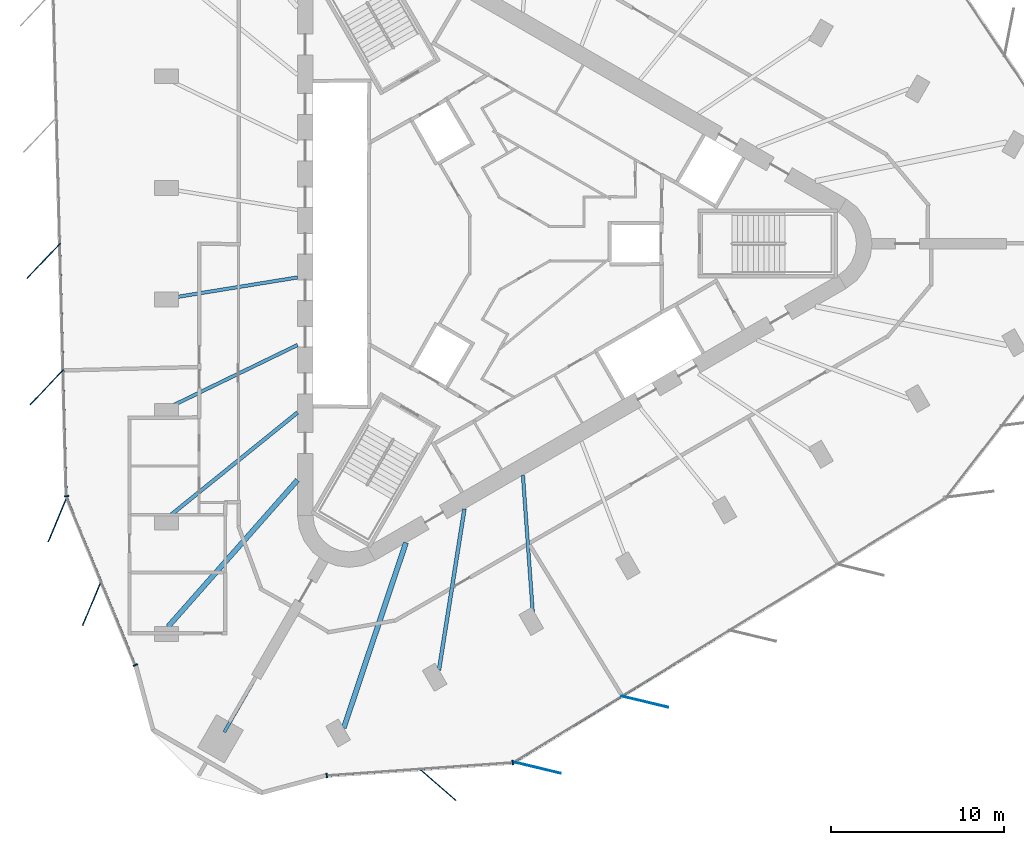
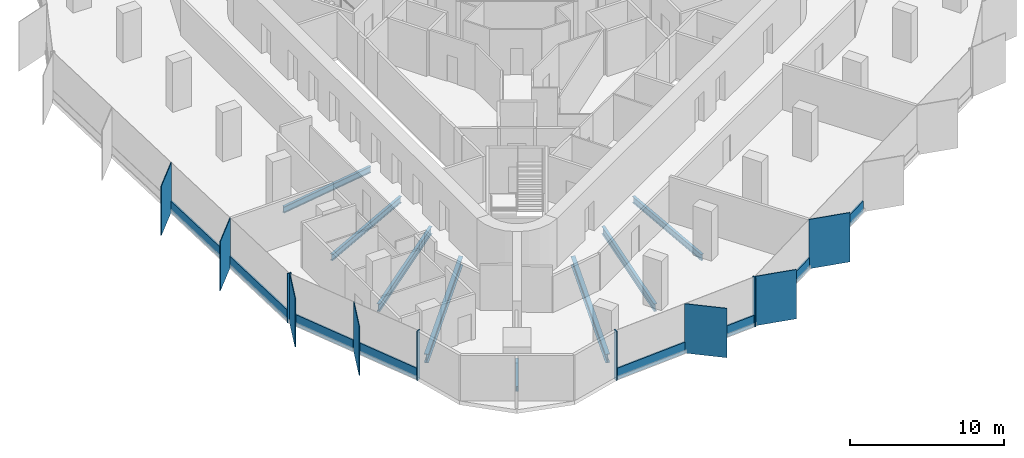
# One storey, part 2 of 12: 19 members, 8 beams, 4 elements without a shape of their own.
"""IFC4 building model written with IfcOpenShell, lengths in metres."""

from ifc_helpers import new_model, si_unit, direction, frame, origin, origin_2d, place, context, subcontext, project, spatial, rectangle, i_section, extrude, material, material_profile, profile_set, type_object, element, aggregate, save


model = new_model("IFC4")

# Units and contexts
model_context = context("Model", 3, precision=1e-05, world=origin(), true_north=direction((0.0, 1.0)))
body_context = subcontext(model_context, "Body", "Model", "MODEL_VIEW")
ifc_project = project(units=[si_unit("LENGTHUNIT", "METRE"), si_unit("AREAUNIT", "SQUARE_METRE"), si_unit("VOLUMEUNIT", "CUBIC_METRE"), si_unit("PLANEANGLEUNIT", "RADIAN"), si_unit("MASSUNIT", "GRAM", prefix="KILO")], contexts=[model_context])

# Site, building, storey
site_placement = place(None, origin())
site = spatial("IfcSite", under=ifc_project, at=site_placement, CompositionType="ELEMENT")
building_placement = place(site_placement, origin())
building = spatial("IfcBuilding", under=site, at=building_placement, Name="Tanit Gate Tower", CompositionType="ELEMENT")
storey_placement = place(building_placement, frame((0.0, 0.0, 345.5)))
storey = spatial("IfcBuildingStorey", under=building, at=storey_placement, Name="L78", CompositionType="ELEMENT", Elevation=345.5)

# Curtain wall, members
ifc_material_1 = material(Name="Aluminium bronze anodised and glass", Category="aluminium")
curtain_wall_type = type_object("IfcCurtainWallType", Name="Curtain wall typical high", PredefinedType="NOTDEFINED", material=ifc_material_1)
curtain_wall_1_placement = place(storey_placement, origin())
curtain_wall_1 = element("IfcCurtainWall", 1, at=curtain_wall_1_placement, inside=storey, type_object=curtain_wall_type, Name="Curtain wall L78 W2", PredefinedType="NOTDEFINED")
ifc_material_2 = material(Name="Aluminium bronze anodised", Category="aluminium")
ifc_material_profile_1 = material_profile(ifc_material_2, rectangle(XDim=2.800048828125, YDim=0.055908203125, at=origin_2d()), Name="56x2800 bronze fin mullion")
ifc_profile_set_1 = profile_set([ifc_material_profile_1], Name="Aluminium bronze anodised")
member_type_1 = type_object("IfcMemberType", Name="FIN MULLION 56x2800 bronze", PredefinedType="MULLION", material=ifc_profile_set_1)
member_1_placement = place(storey_placement, frame((-26.822021484375, -1.00146484375, -0.300048828125), z_axis=(0.0, 0.0, 1.0), x_axis=(0.688538110764, 0.725200158595, 0.0)))
member_1 = element("IfcMember", 2, at=member_1_placement, type_object=member_type_1, Name="Fin mullion L78 W2.3", PredefinedType="MULLION", context=body_context, shape_type="SweptSolid", body=[
    extrude(rectangle(XDim=2.800048828125, YDim=0.055908203125, at=origin_2d()), origin(), (0.0, 0.0, 1.0), 3.900146484375),
])
member_2_placement = place(storey_placement, frame((-26.63232421875, -8.31982421875, -0.300048828125), z_axis=(0.0, 0.0, 1.0), x_axis=(0.688538110764, 0.725200158595, 0.0)))
member_2 = element("IfcMember", 3, at=member_2_placement, type_object=member_type_1, Name="Fin mullion L78 W2.4", PredefinedType="MULLION", context=body_context, shape_type="SweptSolid", body=[
    extrude(rectangle(XDim=2.800048828125, YDim=0.055908203125, at=origin_2d()), origin(), (0.0, 0.0, 1.0), 3.900146484375),
])

curtain_wall_2_placement = place(storey_placement, origin())
curtain_wall_2 = element("IfcCurtainWall", 4, at=curtain_wall_2_placement, inside=storey, type_object=curtain_wall_type, Name="Curtain wall L78 W3", PredefinedType="NOTDEFINED")
member_3_placement = place(storey_placement, frame((-26.0087890625, -15.987548828125, -0.300048828125), z_axis=(0.0, 0.0, 1.0), x_axis=(0.386006838338, 0.9224959191, 0.0)))
member_3 = element("IfcMember", 5, at=member_3_placement, type_object=member_type_1, Name="Fin mullion L78 W3.1", PredefinedType="MULLION", context=body_context, shape_type="SweptSolid", body=[
    extrude(rectangle(XDim=2.800048828125, YDim=0.055908203125, at=origin_2d()), origin(), (0.0, 0.0, 1.0), 3.900146484375),
])
member_4_placement = place(storey_placement, frame((-24.017333984375, -20.844970703125, -0.300048828125), z_axis=(0.0, 0.0, 1.0), x_axis=(0.386006838338, 0.9224959191, 0.0)))
member_4 = element("IfcMember", 6, at=member_4_placement, type_object=member_type_1, Name="Fin mullion L78 W3.2", PredefinedType="MULLION", context=body_context, shape_type="SweptSolid", body=[
    extrude(rectangle(XDim=2.800048828125, YDim=0.055908203125, at=origin_2d()), origin(), (0.0, 0.0, 1.0), 3.900146484375),
])

# Curtain wall, member
curtain_wall_3_placement = place(storey_placement, origin())
curtain_wall_3 = element("IfcCurtainWall", 7, at=curtain_wall_3_placement, inside=storey, type_object=curtain_wall_type, Name="Curtain wall L78 SE1", PredefinedType="NOTDEFINED")
member_5_placement = place(storey_placement, frame((-3.97314453125, -31.3583984375, -0.300048828125), z_axis=(0.0, 0.0, 1.0), x_axis=(-0.754673667978, 0.656100339019, 0.0)))
member_5 = element("IfcMember", 8, at=member_5_placement, type_object=member_type_1, Name="Fin mullion L78 SE1.2", PredefinedType="MULLION", context=body_context, shape_type="SweptSolid", body=[
    extrude(rectangle(XDim=2.800048828125, YDim=0.055908203125, at=origin_2d()), origin(), (0.0, 0.0, 1.0), 3.900146484375),
])

# Curtain wall, members
curtain_wall_4_placement = place(storey_placement, origin())
curtain_wall_4 = element("IfcCurtainWall", 9, at=curtain_wall_4_placement, inside=storey, type_object=curtain_wall_type, Name="Curtain wall L78 SE2", PredefinedType="NOTDEFINED")
member_6_placement = place(storey_placement, frame((1.792236328125, -30.375, -0.300048828125), z_axis=(0.0, 0.0, 1.0), x_axis=(-0.972310815553, 0.233691416098, 0.0)))
member_6 = element("IfcMember", 10, at=member_6_placement, type_object=member_type_1, Name="Fin mullion L78 SE2.1", PredefinedType="MULLION", context=body_context, shape_type="SweptSolid", body=[
    extrude(rectangle(XDim=2.800048828125, YDim=0.055908203125, at=origin_2d()), origin(), (0.0, 0.0, 1.0), 3.900146484375),
])
member_7_placement = place(storey_placement, frame((8.03515625, -26.551513671875, -0.300048828125), z_axis=(0.0, 0.0, 1.0), x_axis=(-0.972310815553, 0.233691416098, 0.0)))
member_7 = element("IfcMember", 11, at=member_7_placement, type_object=member_type_1, Name="Fin mullion L78 SE2.2", PredefinedType="MULLION", context=body_context, shape_type="SweptSolid", body=[
    extrude(rectangle(XDim=2.800048828125, YDim=0.055908203125, at=origin_2d()), origin(), (0.0, 0.0, 1.0), 3.900146484375),
])

# Member
ifc_material_3 = material(Name="Aluminium bronze anodised", Category="aluminium")
ifc_material_profile_2 = material_profile(ifc_material_3, rectangle(XDim=0.280029296875, YDim=0.080078125, at=origin_2d()), Name="80x280 bronze mullion")
ifc_profile_set_2 = profile_set([ifc_material_profile_2], Name="Aluminium bronze anodised")
member_type_2 = type_object("IfcMemberType", Name="Mullion 80x280 typical high", PredefinedType="MULLION", material=ifc_profile_set_2)
member_8_placement = place(storey_placement, frame((-25.4921875, -14.637451171875, -0.300048828125), z_axis=(0.0, 0.0, 1.0), x_axis=(0.999663917086, 0.025923982634, 0.0)))
member_8 = element("IfcMember", 12, at=member_8_placement, type_object=member_type_2, Name="Mullion L78 W2.5", PredefinedType="MULLION", context=body_context, shape_type="SweptSolid", body=[
    extrude(rectangle(XDim=0.280029296875, YDim=0.080078125, at=origin_2d()), origin(), (0.0, 0.0, 1.0), 3.900146484375),
])

member_9_placement = place(storey_placement, frame((-21.492919921875, -24.4287109375, -0.300048828125), z_axis=(0.0, 0.0, 1.0), x_axis=(0.925251172986, 0.37935506704, 0.0)))
member_9 = element("IfcMember", 13, at=member_9_placement, type_object=member_type_2, Name="Mullion L78 W3.3", PredefinedType="MULLION", context=body_context, shape_type="SweptSolid", body=[
    extrude(rectangle(XDim=0.280029296875, YDim=0.080078125, at=origin_2d()), origin(), (0.0, 0.0, 1.0), 3.900146484375),
])

member_10_placement = place(storey_placement, frame((-10.405517578125, -30.829345703125, -0.300048828125), z_axis=(0.0, 0.0, 1.0), x_axis=(-0.069701869351, 0.997567867069, 0.0)))
member_10 = element("IfcMember", 14, at=member_10_placement, type_object=member_type_2, Name="Mullion L78 SE1.1", PredefinedType="MULLION", context=body_context, shape_type="SweptSolid", body=[
    extrude(rectangle(XDim=0.280029296875, YDim=0.080078125, at=origin_2d()), origin(), (0.0, 0.0, 1.0), 3.900146484375),
])

member_11_placement = place(storey_placement, frame((0.376220703125, -30.076171875, -0.300048828125), z_axis=(0.0, 0.0, 1.0), x_axis=(-0.069701869351, 0.997567867069, 0.0)))
member_11 = element("IfcMember", 15, at=member_11_placement, type_object=member_type_2, Name="Mullion L78 SE1.3", PredefinedType="MULLION", context=body_context, shape_type="SweptSolid", body=[
    extrude(rectangle(XDim=0.280029296875, YDim=0.080078125, at=origin_2d()), origin(), (0.0, 0.0, 1.0), 3.900146484375),
])

# Beams
ifc_material_4 = material(Name="Steel S355", Category="steel")
ifc_material_profile_3 = material_profile(ifc_material_4, i_section(OverallWidth=0.300048828125, OverallDepth=0.68994140625, WebThickness=0.014404296875, FlangeThickness=0.027099609375, FilletRadius=0.027099609375, at=origin_2d()), Name="HEA 700")
ifc_profile_set_3 = profile_set([ifc_material_profile_3], Name="Steel S355")
beam_type_1 = type_object("IfcBeamType", Name="RADIAL GIRDER HEA 700 S355", PredefinedType="BEAM", material=ifc_profile_set_3)
for number, where, z_axis, x_axis, name in (
    (16, (-19.602294921875, -22.198486328125, -0.64501953125), (0.661911618894, 0.749581889304, 0.0), (-0.749581889304, 0.661911618894, 0.0), "RADIAL GIRDER"),
    (17, (-9.42333984375, -28.075439453125, -0.64501953125), (0.318204952312, 0.948021945065, 0.0), (-0.948021945065, 0.318204952312, 0.0), "RADIAL GIRDER"),
):
    element("IfcBeam", number, at=place(storey_placement, frame(where, z_axis=z_axis, x_axis=x_axis)), inside=storey, type_object=beam_type_1, Name=name, PredefinedType="BEAM", context=body_context, shape_type="SweptSolid", body=[
        extrude(i_section(OverallWidth=0.300048828125, OverallDepth=0.68994140625, WebThickness=0.014404296875, FlangeThickness=0.027099609375, FilletRadius=0.027099609375, at=origin_2d()), origin(), (0.0, 0.0, 1.0), 11.331298828125),
    ])
ifc_material_5 = material(Name="Steel S355", Category="steel")
ifc_material_profile_4 = material_profile(ifc_material_5, i_section(OverallWidth=0.179931640625, OverallDepth=0.39990234375, WebThickness=0.008544921875, FlangeThickness=0.013427734375, FilletRadius=0.02099609375, at=origin_2d()), Name="IPE 400")
ifc_profile_set_4 = profile_set([ifc_material_profile_4], Name="Steel S355")
beam_type_2 = type_object("IfcBeamType", Name="RADIAL GIRDER IPE 400 S355", PredefinedType="BEAM", material=ifc_profile_set_4)
beam_1_placement = place(storey_placement, frame((-16.343505859375, -28.30810546875, -0.5), z_axis=(0.499967746641, 0.866044024469, 0.0), x_axis=(-0.866044024469, 0.499967746641, 0.0)))
element("IfcBeam", 18, at=beam_1_placement, inside=storey, type_object=beam_type_2, Name="RADIAL GIRDER", PredefinedType="BEAM", context=body_context, shape_type="SweptSolid", body=[
    extrude(i_section(OverallWidth=0.179931640625, OverallDepth=0.39990234375, WebThickness=0.008544921875, FlangeThickness=0.013427734375, FilletRadius=0.02099609375, at=origin_2d()), origin(), (0.0, 0.0, 1.0), 3.216552734375),
])
ifc_material_6 = material(Name="Steel S355", Category="steel")
ifc_material_profile_5 = material_profile(ifc_material_6, i_section(OverallWidth=0.199951171875, OverallDepth=0.5, WebThickness=0.01025390625, FlangeThickness=0.01611328125, FilletRadius=0.02099609375, at=origin_2d()), Name="IPE 500")
ifc_profile_set_5 = profile_set([ifc_material_profile_5], Name="Steel S355")
beam_type_3 = type_object("IfcBeamType", Name="RADIAL GIRDER IPE 500 S355", PredefinedType="BEAM", material=ifc_profile_set_5)
beam_2_placement = place(storey_placement, frame((-19.277587890625, -3.11865234375, -0.550048828125), z_axis=(0.987164361899, 0.159707615965, 0.0), x_axis=(-0.159707615965, 0.987164361899, 0.0)))
element("IfcBeam", 19, at=beam_2_placement, inside=storey, type_object=beam_type_3, Name="RADIAL GIRDER", PredefinedType="BEAM", context=body_context, shape_type="SweptSolid", body=[
    extrude(i_section(OverallWidth=0.199951171875, OverallDepth=0.5, WebThickness=0.01025390625, FlangeThickness=0.01611328125, FilletRadius=0.02099609375, at=origin_2d()), origin(), (0.0, 0.0, 1.0), 7.268798828125),
])
for number, where, z_axis, x_axis, name in (
    (20, (-19.277587890625, -9.356201171875, -0.550048828125), (0.899635975272, 0.43664071271, 0.0), (-0.43664071271, 0.899635975272, 0.0), "RADIAL GIRDER"),
    (21, (1.5361328125, -21.373046875, -0.550048828125), (-0.071686446401, 0.997427217095, 0.0), (-0.997427217095, -0.071686446401, 0.0), "RADIAL GIRDER"),
):
    element("IfcBeam", number, at=place(storey_placement, frame(where, z_axis=z_axis, x_axis=x_axis)), inside=storey, type_object=beam_type_3, Name=name, PredefinedType="BEAM", context=body_context, shape_type="SweptSolid", body=[
        extrude(i_section(OverallWidth=0.199951171875, OverallDepth=0.5, WebThickness=0.01025390625, FlangeThickness=0.01611328125, FilletRadius=0.02099609375, at=origin_2d()), origin(), (0.0, 0.0, 1.0), 7.97607421875),
    ])
ifc_material_7 = material(Name="Steel S355", Category="steel")
ifc_material_profile_6 = material_profile(ifc_material_7, i_section(OverallWidth=0.219970703125, OverallDepth=0.60009765625, WebThickness=0.011962890625, FlangeThickness=0.01904296875, FilletRadius=0.02392578125, at=origin_2d()), Name="IPE 600")
ifc_profile_set_6 = profile_set([ifc_material_profile_6], Name="Steel S355")
beam_type_4 = type_object("IfcBeamType", Name="RADIAL GIRDER IPE 600 S355", PredefinedType="BEAM", material=ifc_profile_set_6)
for number, where, z_axis, x_axis, name in (
    (22, (-19.452392578125, -15.734619140625, -0.60009765625), (0.777488974624, 0.628896568872, 0.0), (-0.628896568872, 0.777488974624, 0.0), "RADIAL GIRDER"),
    (23, (-3.900390625, -24.713623046875, -0.60009765625), (0.155875049661, 0.987776780904, 0.0), (-0.987776780904, 0.155875049661, 0.0), "RADIAL GIRDER"),
):
    element("IfcBeam", number, at=place(storey_placement, frame(where, z_axis=z_axis, x_axis=x_axis)), inside=storey, type_object=beam_type_4, Name=name, PredefinedType="BEAM", context=body_context, shape_type="SweptSolid", body=[
        extrude(i_section(OverallWidth=0.219970703125, OverallDepth=0.60009765625, WebThickness=0.011962890625, FlangeThickness=0.01904296875, FilletRadius=0.02392578125, at=origin_2d()), origin(), (0.0, 0.0, 1.0), 9.453857421875),
    ])

# Member
ifc_material_8 = material(Name="Aluminium bronze anodised", Category="aluminium")
ifc_material_profile_7 = material_profile(ifc_material_8, rectangle(XDim=0.1201171875, YDim=0.89990234375, at=origin_2d()), Name="120x900 bronze transom")
ifc_profile_set_7 = profile_set([ifc_material_profile_7], Name="Aluminium bronze anodised")
member_type_3 = type_object("IfcMemberType", Name="Transom 120x900 typical high", PredefinedType="USERDEFINED", material=ifc_profile_set_7)
member_12_placement = place(storey_placement, frame((-25.87060546875, -0.04052734375, 0.14990234375), z_axis=(0.025928074156, -0.999663810974, 0.0), x_axis=(0.999663810974, 0.025928074156, 0.0)))
member_12 = element("IfcMember", 24, at=member_12_placement, type_object=member_type_3, Name="Transom L78 W2.3", ObjectType="TRANSOM", PredefinedType="USERDEFINED", context=body_context, shape_type="SweptSolid", body=[
    extrude(rectangle(XDim=0.1201171875, YDim=0.89990234375, at=origin_2d()), origin(), (0.0, 0.0, 1.0), 7.240966796875),
])

member_13_placement = place(storey_placement, frame((-25.680908203125, -7.35888671875, 0.14990234375), z_axis=(0.025928074156, -0.999663810974, 0.0), x_axis=(0.999663810974, 0.025928074156, 0.0)))
member_13 = element("IfcMember", 25, at=member_13_placement, type_object=member_type_3, Name="Transom L78 W2.4", ObjectType="TRANSOM", PredefinedType="USERDEFINED", context=body_context, shape_type="SweptSolid", body=[
    extrude(rectangle(XDim=0.1201171875, YDim=0.89990234375, at=origin_2d()), origin(), (0.0, 0.0, 1.0), 7.240966796875),
])

aggregate(curtain_wall_1, [member_1, member_2, member_8, member_12, member_13])

member_14_placement = place(storey_placement, frame((-25.460693359375, -14.75146484375, 0.14990234375), z_axis=(0.379324171143, -0.92526383977, 0.0), x_axis=(0.92526383977, 0.379324171143, 0.0)))
member_14 = element("IfcMember", 26, at=member_14_placement, type_object=member_type_3, Name="Transom L78 W3.1", ObjectType="TRANSOM", PredefinedType="USERDEFINED", context=body_context, shape_type="SweptSolid", body=[
    extrude(rectangle(XDim=0.1201171875, YDim=0.89990234375, at=origin_2d()), origin(), (0.0, 0.0, 1.0), 5.169677734375),
])

member_15_placement = place(storey_placement, frame((-23.46923828125, -19.608642578125, 0.14990234375), z_axis=(0.379364601384, -0.925247263826, 0.0), x_axis=(0.925247263826, 0.379364601384, 0.0)))
member_15 = element("IfcMember", 27, at=member_15_placement, type_object=member_type_3, Name="Transom L78 W3.2", ObjectType="TRANSOM", PredefinedType="USERDEFINED", context=body_context, shape_type="SweptSolid", body=[
    extrude(rectangle(XDim=0.1201171875, YDim=0.89990234375, at=origin_2d()), origin(), (0.0, 0.0, 1.0), 5.169677734375),
])

aggregate(curtain_wall_2, [member_3, member_4, member_9, member_14, member_15])

member_16_placement = place(storey_placement, frame((-10.365478515625, -30.82666015625, 0.14990234375), z_axis=(0.997567616481, 0.069705455664, 0.0), x_axis=(-0.069705455664, 0.997567616481, 0.0)))
member_16 = element("IfcMember", 28, at=member_16_placement, type_object=member_type_3, Name="Transom L78 SE1.1", ObjectType="TRANSOM", PredefinedType="USERDEFINED", context=body_context, shape_type="SweptSolid", body=[
    extrude(rectangle(XDim=0.1201171875, YDim=0.89990234375, at=origin_2d()), origin(), (0.0, 0.0, 1.0), 5.32373046875),
])

member_17_placement = place(storey_placement, frame((-4.974853515625, -30.449951171875, 0.14990234375), z_axis=(0.997567839287, 0.069702266972, 0.0), x_axis=(-0.069702266972, 0.997567839287, 0.0)))
member_17 = element("IfcMember", 29, at=member_17_placement, type_object=member_type_3, Name="Transom L78 SE1.2", ObjectType="TRANSOM", PredefinedType="USERDEFINED", context=body_context, shape_type="SweptSolid", body=[
    extrude(rectangle(XDim=0.1201171875, YDim=0.89990234375, at=origin_2d()), origin(), (0.0, 0.0, 1.0), 5.323974609375),
])

aggregate(curtain_wall_3, [member_10, member_5, member_11, member_16, member_17])

member_18_placement = place(storey_placement, frame((0.484375, -30.031494140625, 0.14990234375), z_axis=(0.852774688178, 0.522278978328, 0.0), x_axis=(-0.522278978328, 0.852774688178, 0.0)))
member_18 = element("IfcMember", 30, at=member_18_placement, type_object=member_type_3, Name="Transom L78 SE2.1", ObjectType="TRANSOM", PredefinedType="USERDEFINED", context=body_context, shape_type="SweptSolid", body=[
    extrude(rectangle(XDim=0.1201171875, YDim=0.89990234375, at=origin_2d()), origin(), (0.0, 0.0, 1.0), 7.24072265625),
])

member_19_placement = place(storey_placement, frame((6.727294921875, -26.2080078125, 0.14990234375), z_axis=(0.852774688178, 0.522278978328, 0.0), x_axis=(-0.522278978328, 0.852774688178, 0.0)))
member_19 = element("IfcMember", 31, at=member_19_placement, type_object=member_type_3, Name="Transom L78 SE2.2", ObjectType="TRANSOM", PredefinedType="USERDEFINED", context=body_context, shape_type="SweptSolid", body=[
    extrude(rectangle(XDim=0.1201171875, YDim=0.89990234375, at=origin_2d()), origin(), (0.0, 0.0, 1.0), 7.24072265625),
])

aggregate(curtain_wall_4, [member_6, member_7, member_18, member_19])

save(model, "model.ifc")
